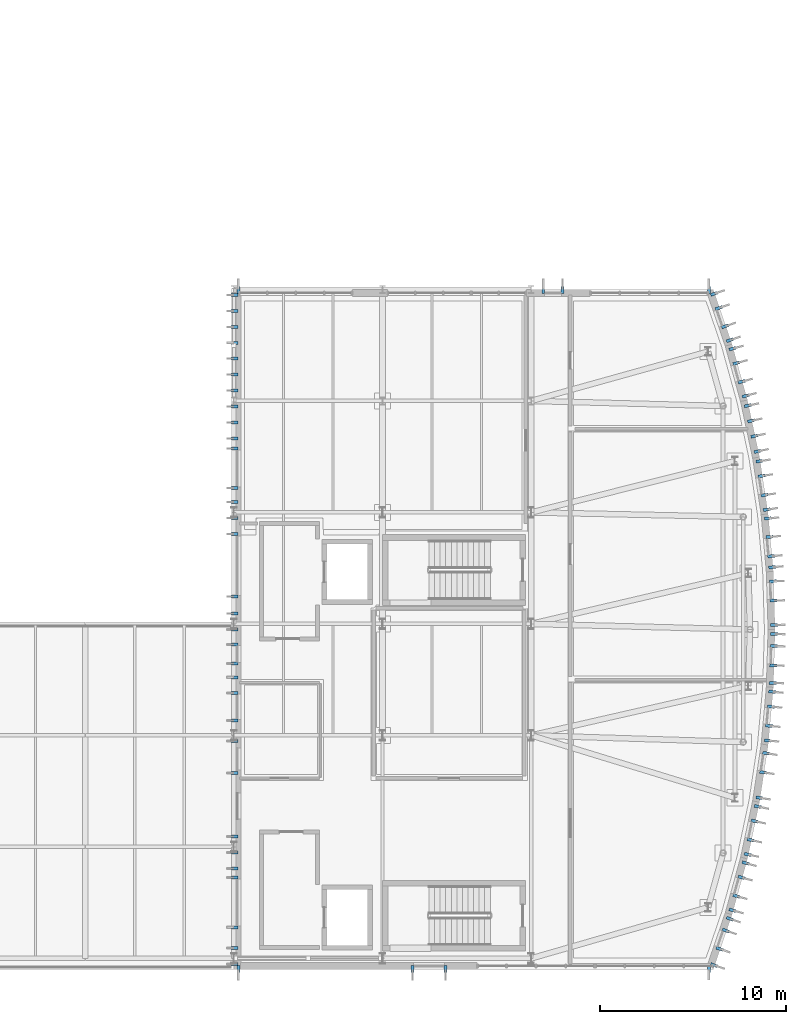
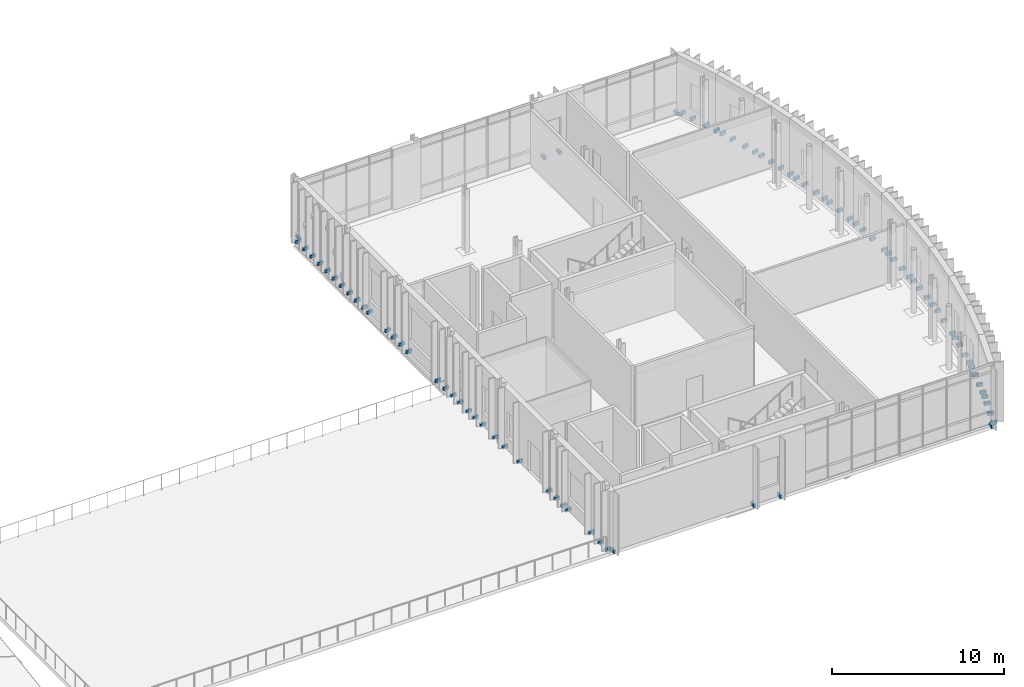
# One storey, part 50 of 62: 86 discrete accessories.
"""IFC4 building model written with IfcOpenShell, lengths in metres."""

from ifc_helpers import new_model, si_unit, direction, frame, origin, origin_2d, place, context, subcontext, project, spatial, rectangle, extrude, material, type_object, element, save


model = new_model("IFC4")

# Units and contexts
model_context = context("Model", 3, precision=1e-05, world=origin(), true_north=direction((0.0, 1.0)))
body_context = subcontext(model_context, "Body", "Model", "MODEL_VIEW")
ifc_project = project(units=[si_unit("LENGTHUNIT", "METRE"), si_unit("AREAUNIT", "SQUARE_METRE"), si_unit("VOLUMEUNIT", "CUBIC_METRE"), si_unit("PLANEANGLEUNIT", "RADIAN"), si_unit("MASSUNIT", "GRAM", prefix="KILO")], contexts=[model_context])

# Site, building, storey
site_placement = place(None, origin())
site = spatial("IfcSite", under=ifc_project, at=site_placement, CompositionType="ELEMENT")
building_placement = place(site_placement, origin())
building = spatial("IfcBuilding", under=site, at=building_placement, Name="Cymarion Research Institute", CompositionType="ELEMENT")
storey_placement = place(building_placement, frame((0.0, 0.0, 18.300048828125)))
storey = spatial("IfcBuildingStorey", under=building, at=storey_placement, Name="L04", CompositionType="ELEMENT", Elevation=18.300048828125)

# Discrete accessories
ifc_material = material(Name="Steel S355", Category="steel")
discrete_accessory_type = type_object("IfcDiscreteAccessoryType", Name="STAINLESS STEEL FACADE FIN BRACKET FBK1", PredefinedType="BRACKET", material=ifc_material)
for number, where, z_axis, x_axis, name in (
    (1, (138.840087890625, 4.93994140625, -0.08984375), (0.0, 0.0, 1.0), (0.0, -1.0, 0.0), "L04 V1 precast fin anchor bracket #419"),
    (2, (148.2060546875, 4.93994140625, -0.08984375), (0.0, 0.0, 1.0), (0.0, -1.0, 0.0), "L04 V1 precast fin anchor bracket #420"),
    (3, (149.99609375, 4.93994140625, -0.08984375), (0.0, 0.0, 1.0), (0.0, -1.0, 0.0), "L04 V1 precast fin anchor bracket #421"),
    (4, (164.159912109375, 4.93994140625, -0.08984375), (0.0, 0.0, 1.0), (0.0, -1.0, 0.0), "L04 V1 precast fin anchor bracket #422"),
    (5, (164.439697265625, 5.139892578125, -0.08984375), (0.0, 0.0, 1.0), (0.946141878672, -0.32375229022, 0.0), "L04 V1 precast fin anchor bracket #423"),
    (6, (164.7392578125, 6.014892578125, -0.08984375), (0.0, 0.0, 1.0), (0.946141878672, -0.32375229022, 0.0), "L04 V1 precast fin anchor bracket #424"),
    (7, (165.07568359375, 6.998779296875, -0.08984375), (0.0, 0.0, 1.0), (0.946141878672, -0.32375229022, 0.0), "L04 V1 precast fin anchor bracket #425"),
    (8, (165.293212890625, 7.634521484375, -0.08984375), (0.0, 0.0, 1.0), (0.946141878672, -0.32375229022, 0.0), "L04 V1 precast fin anchor bracket #426"),
    (9, (165.43408203125, 8.090576171875, -0.08984375), (0.0, 0.0, 1.0), (0.963863295733, -0.266397348219, 0.0), "L04 V1 precast fin anchor bracket #427"),
    (10, (165.645263671875, 8.853759765625, -0.08984375), (0.0, 0.0, 1.0), (0.963863295733, -0.266397348219, 0.0), "L04 V1 precast fin anchor bracket #428"),
    (11, (165.92236328125, 9.856201171875, -0.08984375), (0.0, 0.0, 1.0), (0.963863295733, -0.266397348219, 0.0), "L04 V1 precast fin anchor bracket #429"),
    (12, (166.13671875, 10.631591796875, -0.08984375), (0.0, 0.0, 1.0), (0.963863295733, -0.266397348219, 0.0), "L04 V1 precast fin anchor bracket #430"),
    (13, (166.25, 11.09521484375, -0.08984375), (0.0, 0.0, 1.0), (0.978074966272, -0.208253116068, 0.0), "L04 V1 precast fin anchor bracket #431"),
    (14, (166.4150390625, 11.869873046875, -0.08984375), (0.0, 0.0, 1.0), (0.978074966272, -0.208253116068, 0.0), "L04 V1 precast fin anchor bracket #432"),
    (15, (166.631591796875, 12.886962890625, -0.08984375), (0.0, 0.0, 1.0), (0.978074966272, -0.208253116068, 0.0), "L04 V1 precast fin anchor bracket #433"),
    (16, (166.799072265625, 13.673583984375, -0.08984375), (0.0, 0.0, 1.0), (0.978074966272, -0.208253116068, 0.0), "L04 V1 precast fin anchor bracket #434"),
    (17, (166.884521484375, 14.143310546875, -0.08984375), (0.0, 0.0, 1.0), (0.988782464828, -0.149362770624, 0.0), "L04 V1 precast fin anchor bracket #435"),
    (18, (167.091064453125, 15.511962890625, -0.08984375), (0.0, 0.0, 1.0), (0.988782464828, -0.149362770624, 0.0), "L04 V1 precast fin anchor bracket #436"),
    (19, (167.24609375, 16.540283203125, -0.08984375), (0.0, 0.0, 1.0), (0.988782464828, -0.149362770624, 0.0), "L04 V1 precast fin anchor bracket #437"),
    (20, (167.3349609375, 17.22412109375, -0.08984375), (0.0, 0.0, 1.0), (0.995963111248, -0.089763472712, 0.0), "L04 V1 precast fin anchor bracket #438"),
    (21, (167.406005859375, 18.0126953125, -0.08984375), (0.0, 0.0, 1.0), (0.995963111248, -0.089763472712, 0.0), "L04 V1 precast fin anchor bracket #439"),
    (22, (167.49951171875, 19.048583984375, -0.08984375), (0.0, 0.0, 1.0), (0.995963111248, -0.089763472712, 0.0), "L04 V1 precast fin anchor bracket #440"),
    (23, (167.57177734375, 19.849609375, -0.08984375), (0.0, 0.0, 1.0), (0.995963111248, -0.089763472712, 0.0), "L04 V1 precast fin anchor bracket #441"),
    (24, (167.600341796875, 20.326171875, -0.08984375), (0.0, 0.0, 1.0), (0.99954944375, -0.030015154483, 0.0), "L04 V1 precast fin anchor bracket #442"),
    (25, (167.628662109375, 21.268798828125, -0.08984375), (0.0, 0.0, 1.0), (0.99954944375, -0.030015154483, 0.0), "L04 V1 precast fin anchor bracket #443"),
    (26, (167.65966796875, 22.308349609375, -0.08984375), (0.0, 0.0, 1.0), (0.99954944375, -0.030015154483, 0.0), "L04 V1 precast fin anchor bracket #444"),
    (27, (167.67919921875, 22.961181640625, -0.08984375), (0.0, 0.0, 1.0), (0.99954944375, -0.030015154483, 0.0), "L04 V1 precast fin anchor bracket #445"),
    (28, (167.67919921875, 23.438720703125, -0.08984375), (0.0, 0.0, 1.0), (0.99954944375, 0.030015154483, 0.0), "L04 V1 precast fin anchor bracket #446"),
    (29, (167.639892578125, 24.754150390625, -0.08984375), (0.0, 0.0, 1.0), (0.99954944375, 0.030015154483, 0.0), "L04 V1 precast fin anchor bracket #447"),
    (30, (167.608642578125, 25.793701171875, -0.08984375), (0.0, 0.0, 1.0), (0.99954944375, 0.030015154483, 0.0), "L04 V1 precast fin anchor bracket #448"),
    (31, (167.57177734375, 26.55029296875, -0.08984375), (0.0, 0.0, 1.0), (0.995963111248, 0.089763472712, 0.0), "L04 V1 precast fin anchor bracket #449"),
    (32, (167.518310546875, 27.143798828125, -0.08984375), (0.0, 0.0, 1.0), (0.995963111248, 0.089763472712, 0.0), "L04 V1 precast fin anchor bracket #450"),
    (33, (167.4248046875, 28.1796875, -0.08984375), (0.0, 0.0, 1.0), (0.995963111248, 0.089763472712, 0.0), "L04 V1 precast fin anchor bracket #451"),
    (34, (167.3349609375, 29.176025390625, -0.08984375), (0.0, 0.0, 1.0), (0.995963111248, 0.089763472712, 0.0), "L04 V1 precast fin anchor bracket #452"),
    (35, (167.27783203125, 29.64990234375, -0.08984375), (0.0, 0.0, 1.0), (0.988782464828, 0.149362770624, 0.0), "L04 V1 precast fin anchor bracket #453"),
    (36, (167.15966796875, 30.43310546875, -0.08984375), (0.0, 0.0, 1.0), (0.988782464828, 0.149362770624, 0.0), "L04 V1 precast fin anchor bracket #454"),
    (37, (167.00439453125, 31.46142578125, -0.08984375), (0.0, 0.0, 1.0), (0.988782464828, 0.149362770624, 0.0), "L04 V1 precast fin anchor bracket #455"),
    (38, (166.884521484375, 32.256591796875, -0.08984375), (0.0, 0.0, 1.0), (0.988782464828, 0.149362770624, 0.0), "L04 V1 precast fin anchor bracket #456"),
    (39, (166.78662109375, 32.784912109375, -0.08984375), (0.0, 0.0, 1.0), (0.978074966272, 0.208253116068, 0.0), "L04 V1 precast fin anchor bracket #457"),
    (40, (166.61181640625, 33.60546875, -0.08984375), (0.0, 0.0, 1.0), (0.978074966272, 0.208253116068, 0.0), "L04 V1 precast fin anchor bracket #458"),
    (41, (166.437255859375, 34.42578125, -0.08984375), (0.0, 0.0, 1.0), (0.978074966272, 0.208253116068, 0.0), "L04 V1 precast fin anchor bracket #459"),
    (42, (166.262451171875, 35.24609375, -0.08984375), (0.0, 0.0, 1.0), (0.978074966272, 0.208253116068, 0.0), "L04 V1 precast fin anchor bracket #460"),
    (43, (166.13671875, 35.7685546875, -0.08984375), (0.0, 0.0, 1.0), (0.963863295733, 0.266397348219, 0.0), "L04 V1 precast fin anchor bracket #461"),
    (44, (165.925537109375, 36.531982421875, -0.08984375), (0.0, 0.0, 1.0), (0.963863295733, 0.266397348219, 0.0), "L04 V1 precast fin anchor bracket #462"),
    (45, (165.6484375, 37.5341796875, -0.08984375), (0.0, 0.0, 1.0), (0.963863295733, 0.266397348219, 0.0), "L04 V1 precast fin anchor bracket #463"),
    (46, (165.43408203125, 38.3095703125, -0.08984375), (0.0, 0.0, 1.0), (0.963863295733, 0.266397348219, 0.0), "L04 V1 precast fin anchor bracket #464"),
    (47, (165.293212890625, 38.765625, -0.08984375), (0.0, 0.0, 1.0), (0.946141878672, 0.32375229022, 0.0), "L04 V1 precast fin anchor bracket #465"),
    (48, (165.036865234375, 39.514892578125, -0.08984375), (0.0, 0.0, 1.0), (0.946141878672, 0.32375229022, 0.0), "L04 V1 precast fin anchor bracket #466"),
    (49, (164.7001953125, 40.4990234375, -0.08984375), (0.0, 0.0, 1.0), (0.946141878672, 0.32375229022, 0.0), "L04 V1 precast fin anchor bracket #467"),
    (50, (164.439697265625, 41.260009765625, -0.08984375), (0.0, 0.0, 1.0), (0.946141878672, 0.32375229022, 0.0), "L04 V1 precast fin anchor bracket #468"),
    (51, (164.159912109375, 41.4599609375, -0.08984375), (0.0, 0.0, 1.0), (0.0, 1.0, 0.0), "L04 V1 precast fin anchor bracket #469"),
    (52, (156.289794921875, 41.4599609375, -0.08984375), (0.0, 0.0, 1.0), (0.0, 1.0, 0.0), "L04 V1 precast fin anchor bracket #470"),
    (53, (155.249755859375, 41.4599609375, -0.08984375), (0.0, 0.0, 1.0), (0.0, 1.0, 0.0), "L04 V1 precast fin anchor bracket #471"),
    (54, (138.840087890625, 41.4599609375, -0.08984375), (0.0, 0.0, 1.0), (0.0, 1.0, 0.0), "L04 V1 precast fin anchor bracket #472"),
    (55, (138.639892578125, 41.199951171875, -0.08984375), (0.0, 0.0, 1.0), (-1.0, 0.0, 0.0), "L04 V1 precast fin anchor bracket #473"),
    (56, (138.639892578125, 40.343017578125, -0.08984375), (0.0, 0.0, 1.0), (-1.0, 0.0, 0.0), "L04 V1 precast fin anchor bracket #474"),
    (57, (138.639892578125, 39.485595703125, -0.08984375), (0.0, 0.0, 1.0), (-1.0, 0.0, 0.0), "L04 V1 precast fin anchor bracket #475"),
    (58, (138.639892578125, 38.628662109375, -0.08984375), (0.0, 0.0, 1.0), (-1.0, 0.0, 0.0), "L04 V1 precast fin anchor bracket #476"),
    (59, (138.639892578125, 37.771484375, -0.08984375), (0.0, 0.0, 1.0), (-1.0, 0.0, 0.0), "L04 V1 precast fin anchor bracket #477"),
    (60, (138.639892578125, 36.914306640625, -0.08984375), (0.0, 0.0, 1.0), (-1.0, 0.0, 0.0), "L04 V1 precast fin anchor bracket #478"),
    (61, (138.639892578125, 36.05712890625, -0.08984375), (0.0, 0.0, 1.0), (-1.0, 0.0, 0.0), "L04 V1 precast fin anchor bracket #479"),
    (62, (138.639892578125, 35.199951171875, -0.08984375), (0.0, 0.0, 1.0), (-1.0, 0.0, 0.0), "L04 V1 precast fin anchor bracket #480"),
    (63, (138.639892578125, 34.343017578125, -0.08984375), (0.0, 0.0, 1.0), (-1.0, 0.0, 0.0), "L04 V1 precast fin anchor bracket #481"),
    (64, (138.639892578125, 33.485595703125, -0.08984375), (0.0, 0.0, 1.0), (-1.0, 0.0, 0.0), "L04 V1 precast fin anchor bracket #482"),
    (65, (138.639892578125, 32.929931640625, -0.08984375), (0.0, 0.0, 1.0), (-1.0, 0.0, 0.0), "L04 V1 precast fin anchor bracket #483"),
    (66, (138.639892578125, 30.81005859375, -0.08984375), (0.0, 0.0, 1.0), (-1.0, 0.0, 0.0), "L04 V1 precast fin anchor bracket #484"),
    (67, (138.639892578125, 30.05712890625, -0.08984375), (0.0, 0.0, 1.0), (-1.0, 0.0, 0.0), "L04 V1 precast fin anchor bracket #485"),
    (68, (138.639892578125, 29.199951171875, -0.08984375), (0.0, 0.0, 1.0), (-1.0, 0.0, 0.0), "L04 V1 precast fin anchor bracket #486"),
    (69, (138.639892578125, 28.343017578125, -0.08984375), (0.0, 0.0, 1.0), (-1.0, 0.0, 0.0), "L04 V1 precast fin anchor bracket #487"),
    (70, (138.639892578125, 24.965087890625, -0.08984375), (0.0, 0.0, 1.0), (-1.0, 0.0, 0.0), "L04 V1 precast fin anchor bracket #488"),
    (71, (138.639892578125, 24.05712890625, -0.08984375), (0.0, 0.0, 1.0), (-1.0, 0.0, 0.0), "L04 V1 precast fin anchor bracket #489"),
    (72, (138.639892578125, 23.199951171875, -0.08984375), (0.0, 0.0, 1.0), (-1.0, 0.0, 0.0), "L04 V1 precast fin anchor bracket #490"),
    (73, (138.639892578125, 22.389892578125, -0.08984375), (0.0, 0.0, 1.0), (-1.0, 0.0, 0.0), "L04 V1 precast fin anchor bracket #491"),
    (74, (138.639892578125, 21.3701171875, -0.08984375), (0.0, 0.0, 1.0), (-1.0, 0.0, 0.0), "L04 V1 precast fin anchor bracket #492"),
    (75, (138.639892578125, 20.628662109375, -0.08984375), (0.0, 0.0, 1.0), (-1.0, 0.0, 0.0), "L04 V1 precast fin anchor bracket #493"),
    (76, (138.639892578125, 19.771484375, -0.08984375), (0.0, 0.0, 1.0), (-1.0, 0.0, 0.0), "L04 V1 precast fin anchor bracket #494"),
    (77, (138.639892578125, 18.304931640625, -0.08984375), (0.0, 0.0, 1.0), (-1.0, 0.0, 0.0), "L04 V1 precast fin anchor bracket #495"),
    (78, (138.639892578125, 17.199951171875, -0.08984375), (0.0, 0.0, 1.0), (-1.0, 0.0, 0.0), "L04 V1 precast fin anchor bracket #496"),
    (79, (138.639892578125, 15.485595703125, -0.08984375), (0.0, 0.0, 1.0), (-1.0, 0.0, 0.0), "L04 V1 precast fin anchor bracket #497"),
    (80, (138.639892578125, 12.05712890625, -0.08984375), (0.0, 0.0, 1.0), (-1.0, 0.0, 0.0), "L04 V1 precast fin anchor bracket #498"),
    (81, (138.639892578125, 11.199951171875, -0.08984375), (0.0, 0.0, 1.0), (-1.0, 0.0, 0.0), "L04 V1 precast fin anchor bracket #499"),
    (82, (138.639892578125, 10.343017578125, -0.08984375), (0.0, 0.0, 1.0), (-1.0, 0.0, 0.0), "L04 V1 precast fin anchor bracket #500"),
    (83, (138.639892578125, 9.844970703125, -0.08984375), (0.0, 0.0, 1.0), (-1.0, 0.0, 0.0), "L04 V1 precast fin anchor bracket #501"),
    (84, (138.639892578125, 7.175048828125, -0.08984375), (0.0, 0.0, 1.0), (-1.0, 0.0, 0.0), "L04 V1 precast fin anchor bracket #502"),
    (85, (138.639892578125, 6.05712890625, -0.08984375), (0.0, 0.0, 1.0), (-1.0, 0.0, 0.0), "L04 V1 precast fin anchor bracket #503"),
    (86, (138.639892578125, 5.199951171875, -0.08984375), (0.0, 0.0, 1.0), (-1.0, 0.0, 0.0), "L04 V1 precast fin anchor bracket #504"),
):
    element("IfcDiscreteAccessory", number, at=place(storey_placement, frame(where, z_axis=z_axis, x_axis=x_axis)), inside=storey, type_object=discrete_accessory_type, Name=name, PredefinedType="BRACKET", context=body_context, shape_type="SweptSolid", body=[
        extrude(rectangle(XDim=0.3798828125, YDim=0.159912109375, at=origin_2d()), origin(), (0.0, 0.0, 1.0), 0.219970703125),
    ])

save(model, "model.ifc")
